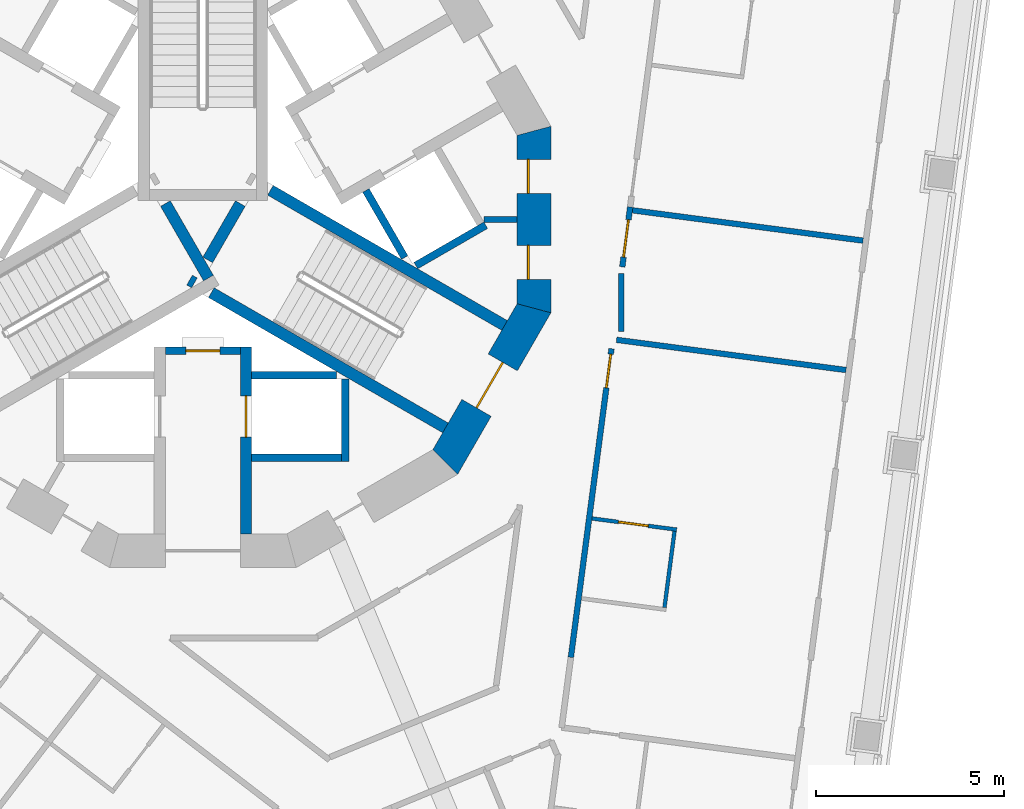
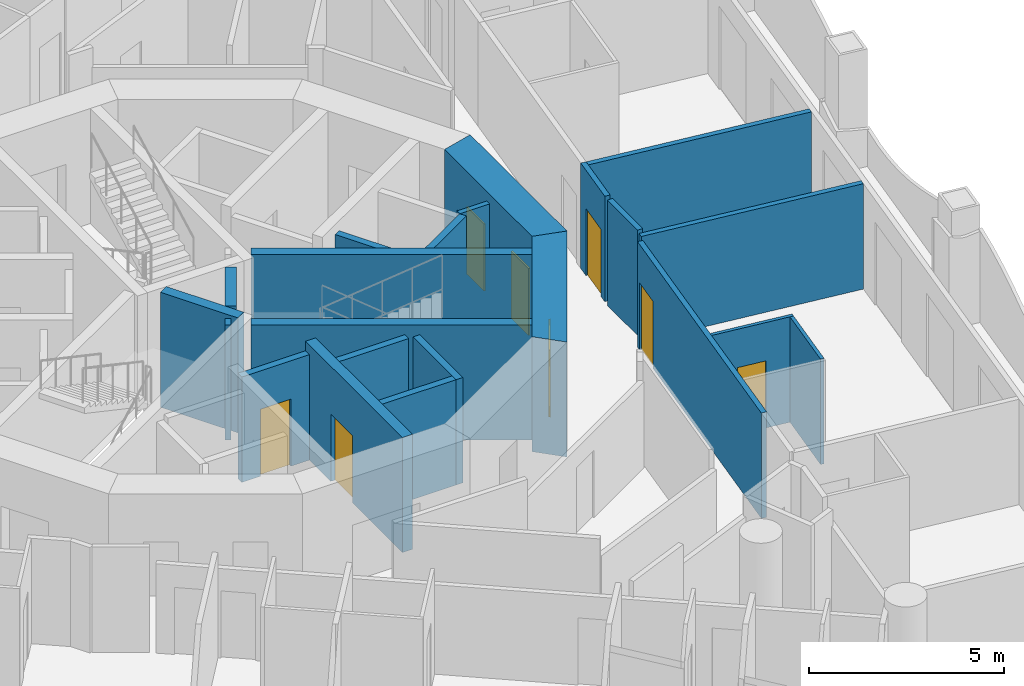
# One storey, part 5 of 17: 22 walls, 8 doors, 8 openings.
"""IFC4 building model written with IfcOpenShell, lengths in metres."""

from ifc_helpers import new_model, si_unit, direction, frame, frame_2d, origin, place, context, subcontext, project, spatial, polyline, rectangle, outline, extrude, material, layer, layer_set, type_object, element, fill, save


model = new_model("IFC4")

# Units and contexts
model_context = context("Model", 3, precision=1e-05, world=origin(), true_north=direction((0.0, 1.0)))
body_context = subcontext(model_context, "Body", "Model", "MODEL_VIEW")
ifc_project = project(units=[si_unit("LENGTHUNIT", "METRE"), si_unit("AREAUNIT", "SQUARE_METRE"), si_unit("VOLUMEUNIT", "CUBIC_METRE"), si_unit("PLANEANGLEUNIT", "RADIAN"), si_unit("MASSUNIT", "GRAM", prefix="KILO")], contexts=[model_context])

# Site, building, storey
site_placement = place(None, origin())
site = spatial("IfcSite", under=ifc_project, at=site_placement, CompositionType="ELEMENT")
building_placement = place(site_placement, origin())
building = spatial("IfcBuilding", under=site, at=building_placement, Name="Trine Commons Tower", CompositionType="ELEMENT")
storey_placement = place(building_placement, frame((0.0, 0.0, 138.60009765625)))
storey = spatial("IfcBuildingStorey", under=building, at=storey_placement, Name="L35", CompositionType="ELEMENT", Elevation=138.60009765625)

# Wall
ifc_material_1 = material(Name="Plasterboard partition on steel studs", Category="steel")
ifc_layer_1 = layer(ifc_material_1, 0.14990234375)
ifc_layer_set_1 = layer_set([ifc_layer_1], Name="Plasterboard partition on steel studs")
wall_type_1 = type_object("IfcWallType", Name="Core room partition 150 mm, EI 60", PredefinedType="PARTITIONING", material=ifc_layer_set_1)
wall_1_placement = place(storey_placement, frame((88.373046875, 62.5, 0.0), z_axis=(0.0, 0.0, 1.0), x_axis=(-1.0, 0.0, 0.0)))
element("IfcWall", 1, at=wall_1_placement, inside=storey, type_object=wall_type_1, Name="Core room partition L35", PredefinedType="PARTITIONING", context=body_context, shape_type="SweptSolid", body=[
    extrude(rectangle(XDim=0.882080078125, YDim=0.14990234375, at=frame_2d((0.44091796875, 0.0))), origin(), (0.0, 0.0, 1.0), 3.2998046875),
])

# Wall, opening, door
ifc_material_2 = material(Name="Fire-rated gypsum shaft wall system")
ifc_layer_2 = layer(ifc_material_2, 0.199951171875)
ifc_layer_set_2 = layer_set([ifc_layer_2], Name="Fire-rated gypsum shaft wall system")
wall_type_2 = type_object("IfcWallType", Name="Lobby end wall 200 mm, EI 120", PredefinedType="PARTITIONING", material=ifc_layer_set_2)
wall_2_placement = place(storey_placement, frame((79.0, 59.0, 0.0), z_axis=(0.0, 0.0, 1.0), x_axis=(1.0, 0.0, 0.0)))
wall_2 = element("IfcWall", 2, at=wall_2_placement, inside=storey, type_object=wall_type_2, Name="Lobby end wall L35", PredefinedType="PARTITIONING", context=body_context, shape_type="SweptSolid", body=[
    extrude(rectangle(XDim=2.0, YDim=0.199951171875, at=frame_2d((1.0, 0.0))), origin(), (0.0, 0.0, 1.0), 3.2998046875),
])
opening_1_placement = place(wall_2_placement, frame((0.550048828125, 0.0, 0.0)))
opening_1 = element("IfcOpeningElement", 3, at=opening_1_placement, cuts=wall_2, Name="Opening K10.09", PredefinedType="OPENING", context=body_context, shape_type="SweptSolid", body=[
    extrude(rectangle(XDim=0.89990234375, YDim=2.10009765625, at=frame_2d((0.449951171875, 1.050048828125))), frame((0.0, 0.10986328125, 0.0), z_axis=(0.0, -1.0, 0.0), x_axis=(1.0, 0.0, 0.0)), (0.0, 0.0, 1.0), 0.219970703125),
])
ifc_material_3 = material(Name="Steel door leaf, fire-rated", Category="steel")
door_type_1 = type_object("IfcDoorType", Name="Riser access door, single leaf 900 x 2100, FD60", OperationType="SINGLE_SWING_LEFT", PredefinedType="DOOR", material=ifc_material_3)
door_1_placement = place(opening_1_placement, frame((0.89990234375, 0.0, 0.0), z_axis=(0.0, 0.0, 1.0), x_axis=(-1.0, 0.0, 0.0)))
door_1 = element("IfcDoor", 4, at=door_1_placement, inside=storey, type_object=door_type_1, Name="Riser door, Communications riser L35", OperationType="SINGLE_SWING_RIGHT", OverallHeight=2.10009765625, OverallWidth=0.89990234375, PredefinedType="DOOR", context=body_context, shape_type="SweptSolid", body=[
    extrude(rectangle(XDim=0.89990234375, YDim=2.10009765625, at=frame_2d((0.449951171875, 1.050048828125))), frame((0.0, 0.02490234375, 0.0), z_axis=(0.0, -1.0, 0.0), x_axis=(1.0, 0.0, 0.0)), (0.0, 0.0, 1.0), 0.050048828125),
])
fill(opening_1, door_1)

ifc_material_4 = material(Name="Concrete C70/85", Category="concrete")
ifc_layer_3 = layer(ifc_material_4, 0.300048828125)
ifc_layer_set_3 = layer_set([ifc_layer_3], Name="Concrete C70/85")
wall_type_3 = type_object("IfcWallType", Name="RC shear wall 300 mm, C70/85", PredefinedType="SHEAR", material=ifc_layer_set_3)
wall_3_placement = place(storey_placement, frame((81.14990234375, 59.10009765625, 0.0), z_axis=(0.0, 0.0, 1.0), x_axis=(0.0, -1.0, 0.0)))
wall_3 = element("IfcWall", 5, at=wall_3_placement, inside=storey, type_object=wall_type_3, Name="Core cross wall SWB-04 L35", PredefinedType="SHEAR", context=body_context, shape_type="SweptSolid", body=[
    extrude(rectangle(XDim=4.97314453125, YDim=0.300048828125, at=frame_2d((2.486572265625, 0.0))), origin(), (0.0, 0.0, 1.0), 3.599853515625),
])
opening_2_placement = place(wall_3_placement, frame((1.300048828125, 0.0, 0.0)))
opening_2 = element("IfcOpeningElement", 6, at=opening_2_placement, cuts=wall_3, Name="Opening LD9", PredefinedType="OPENING", context=body_context, shape_type="SweptSolid", body=[
    extrude(rectangle(XDim=1.10009765625, YDim=2.10009765625, at=frame_2d((0.550048828125, 1.050048828125))), frame((0.0, 0.159912109375, 0.0), z_axis=(0.0, -1.0, 0.0), x_axis=(1.0, 0.0, 0.0)), (0.0, 0.0, 1.0), 0.320068359375),
])
ifc_material_5 = material(Name="Stainless steel sliding door leaves", Category="steel")
door_type_2 = type_object("IfcDoorType", Name="Lift landing door, centre-opening sliding 1100 x 2100, FD90", OperationType="DOUBLE_DOOR_SLIDING", PredefinedType="DOOR", material=ifc_material_5)
door_2_placement = place(opening_2_placement, origin())
door_2 = element("IfcDoor", 7, at=door_2_placement, inside=storey, type_object=door_type_2, Name="Lift landing door FF1 L35", OperationType="DOUBLE_DOOR_SLIDING", OverallHeight=2.10009765625, OverallWidth=1.10009765625, PredefinedType="DOOR", context=body_context, shape_type="SweptSolid", body=[
    extrude(rectangle(XDim=1.10009765625, YDim=2.10009765625, at=frame_2d((0.550048828125, 1.050048828125))), frame((0.0, 0.02490234375, 0.0), z_axis=(0.0, -1.0, 0.0), x_axis=(1.0, 0.0, 0.0)), (0.0, 0.0, 1.0), 0.050048828125),
])
fill(opening_2, door_2)

# Walls
wall_4_placement = place(storey_placement, frame((79.0029296875, 62.926025390625, 0.0), z_axis=(0.0, 0.0, 1.0), x_axis=(0.499965247104, -0.866045467449, 0.0)))
element("IfcWall", 8, at=wall_4_placement, inside=storey, type_object=wall_type_3, Name="Core cross wall SWB-10 L35", PredefinedType="SHEAR", context=body_context, shape_type="SweptSolid", body=[
    extrude(rectangle(XDim=2.292236328125, YDim=0.300048828125, at=frame_2d((1.14599609375, 0.0))), origin(), (0.0, 0.0, 1.0), 3.599853515625),
])
wall_5_placement = place(storey_placement, frame((79.64599609375, 60.885986328125, 0.0), z_axis=(0.0, 0.0, 1.0), x_axis=(0.867331893649, -0.497730234424, 0.0)))
element("IfcWall", 9, at=wall_5_placement, inside=storey, type_object=wall_type_3, Name="Core cross wall SWB-11 L35", PredefinedType="SHEAR", context=body_context, shape_type="SweptSolid", body=[
    extrude(rectangle(XDim=0.148681640625, YDim=0.300048828125, at=frame_2d((0.07421875, 0.0))), origin(), (0.0, 0.0, 1.0), 3.599853515625),
])
wall_6_placement = place(storey_placement, frame((80.1298828125, 61.424072265625, 0.0), z_axis=(0.0, 0.0, 1.0), x_axis=(0.500014901547, 0.866016800201, 0.0)))
element("IfcWall", 10, at=wall_6_placement, inside=storey, type_object=wall_type_3, Name="Core cross wall SWB-12 L35", PredefinedType="SHEAR", context=body_context, shape_type="SweptSolid", body=[
    extrude(rectangle(XDim=1.734375, YDim=0.300048828125, at=frame_2d((0.8671875, 0.0))), origin(), (0.0, 0.0, 1.0), 3.599853515625),
])
for number, where, z_axis, x_axis, name in (
    (11, (80.22509765625, 60.552001953125, 0.0), (0.0, 0.0, 1.0), (0.866028135082, -0.499995269223, 0.0), "Core cross wall SWB-13 L35"),
    (12, (81.800048828125, 63.280029296875, 0.0), (0.0, 0.0, 1.0), (0.866028135082, -0.499995269223, 0.0), "Core cross wall SWB-18 L35"),
):
    element("IfcWall", number, at=place(storey_placement, frame(where, z_axis=z_axis, x_axis=x_axis)), inside=storey, type_object=wall_type_3, Name=name, PredefinedType="SHEAR", context=body_context, shape_type="SweptSolid", body=[
        extrude(rectangle(XDim=7.2041015625, YDim=0.300048828125, at=frame_2d((3.60205078125, 0.0))), origin(), (0.0, 0.0, 1.0), 3.599853515625),
    ])

# Wall, openings, doors
ifc_layer_4 = layer(ifc_material_4, 0.89990234375)
ifc_layer_set_4 = layer_set([ifc_layer_4], Name="Concrete C70/85")
wall_type_4 = type_object("IfcWallType", Name="RC shear wall 900 mm, C70/85", PredefinedType="SHEAR", material=ifc_layer_set_4)
wall_7_placement = place(storey_placement, frame((88.822998046875, 60.015380859375, 0.0), z_axis=(0.0, 0.0, 1.0), x_axis=(0.0, 1.0, 0.0)))
wall_7 = element("IfcWall", 13, at=wall_7_placement, inside=storey, type_object=wall_type_4, Name="Core wall CWD-01 L35", PredefinedType="SHEAR", context=body_context, shape_type="SweptSolid", body=[
    extrude(outline(polyline([(0.0, -0.449951171875), (4.969482421875, -0.449951171875), (4.728271484375, 0.449951171875), (0.2412109375, 0.449951171875), (0.0, -0.449951171875)])), origin(), (0.0, 0.0, 1.0), 3.599853515625),
])
opening_3_placement = place(wall_7_placement, frame((0.893798828125, 0.0, 0.0)))
opening_3 = element("IfcOpeningElement", 14, at=opening_3_placement, cuts=wall_7, Name="Opening K10.10", PredefinedType="OPENING", context=body_context, shape_type="SweptSolid", body=[
    extrude(rectangle(XDim=0.89990234375, YDim=2.10009765625, at=frame_2d((0.449951171875, 1.050048828125))), frame((0.0, 0.4599609375, 0.0), z_axis=(0.0, -1.0, 0.0), x_axis=(1.0, 0.0, 0.0)), (0.0, 0.0, 1.0), 0.919921875),
])
opening_4_placement = place(wall_7_placement, frame((3.184814453125, 0.0, 0.0)))
opening_4 = element("IfcOpeningElement", 15, at=opening_4_placement, cuts=wall_7, Name="Opening K10.11", PredefinedType="OPENING", context=body_context, shape_type="SweptSolid", body=[
    extrude(rectangle(XDim=0.89990234375, YDim=2.10009765625, at=frame_2d((0.449951171875, 1.050048828125))), frame((0.0, 0.4599609375, 0.0), z_axis=(0.0, -1.0, 0.0), x_axis=(1.0, 0.0, 0.0)), (0.0, 0.0, 1.0), 0.919921875),
])
door_type_3 = type_object("IfcDoorType", Name="Core room door, single leaf 900 x 2100, FD30S", OperationType="SINGLE_SWING_LEFT", PredefinedType="DOOR", material=ifc_material_3)
door_3_placement = place(opening_3_placement, origin())
door_3 = element("IfcDoor", 16, at=door_3_placement, inside=storey, type_object=door_type_3, Name="Door to Cleaner's store L35", OperationType="SINGLE_SWING_LEFT", OverallHeight=2.10009765625, OverallWidth=0.89990234375, PredefinedType="DOOR", context=body_context, shape_type="SweptSolid", body=[
    extrude(rectangle(XDim=0.89990234375, YDim=2.10009765625, at=frame_2d((0.449951171875, 1.050048828125))), frame((0.0, 0.1748046875, 0.0), z_axis=(0.0, -1.0, 0.0), x_axis=(1.0, 0.0, 0.0)), (0.0, 0.0, 1.0), 0.050048828125),
])
fill(opening_3, door_3)
door_4_placement = place(opening_4_placement, origin())
door_4 = element("IfcDoor", 17, at=door_4_placement, inside=storey, type_object=door_type_3, Name="Door to Accessible WC L35", OperationType="SINGLE_SWING_RIGHT", OverallHeight=2.10009765625, OverallWidth=0.89990234375, PredefinedType="DOOR", context=body_context, shape_type="SweptSolid", body=[
    extrude(rectangle(XDim=0.89990234375, YDim=2.10009765625, at=frame_2d((0.449951171875, 1.050048828125))), frame((0.0, 0.1748046875, 0.0), z_axis=(0.0, -1.0, 0.0), x_axis=(1.0, 0.0, 0.0)), (0.0, 0.0, 1.0), 0.050048828125),
])
fill(opening_4, door_4)

# Wall, opening, door
wall_8_placement = place(storey_placement, frame((86.3984375, 55.936767578125, 0.0), z_axis=(0.0, 0.0, 1.0), x_axis=(0.500038571144, 0.866003133579, 0.0)))
wall_8 = element("IfcWall", 18, at=wall_8_placement, inside=storey, type_object=wall_type_4, Name="Core wall CWD-12 L35", PredefinedType="SHEAR", context=body_context, shape_type="SweptSolid", body=[
    extrude(outline(polyline([(0.0, -0.449951171875), (4.96923828125, -0.449951171875), (4.72802734375, 0.449951171875), (0.2412109375, 0.449951171875), (0.0, -0.449951171875)])), origin(), (0.0, 0.0, 1.0), 3.599853515625),
])
opening_5_placement = place(wall_8_placement, frame((1.78466796875, 0.0, 0.0)))
opening_5 = element("IfcOpeningElement", 19, at=opening_5_placement, cuts=wall_8, Name="Opening K10.03", PredefinedType="OPENING", context=body_context, shape_type="SweptSolid", body=[
    extrude(rectangle(XDim=1.39990234375, YDim=2.10009765625, at=frame_2d((0.699951171875, 1.050048828125))), frame((0.0, 0.4599609375, 0.0), z_axis=(0.0, -1.0, 0.0), x_axis=(1.0, 0.0, 0.0)), (0.0, 0.0, 1.0), 0.919921875),
])
ifc_material_6 = material(Name="Steel door leaves, fire-rated", Category="steel")
door_type_4 = type_object("IfcDoorType", Name="Stair door, double leaf 1400 x 2100, FD90", OperationType="DOUBLE_DOOR_SINGLE_SWING", PredefinedType="DOOR", material=ifc_material_6)
door_5_placement = place(opening_5_placement, origin())
door_5 = element("IfcDoor", 20, at=door_5_placement, inside=storey, type_object=door_type_4, Name="Stair door to Exit stair ST3B L35", OperationType="DOUBLE_DOOR_SINGLE_SWING", OverallHeight=2.10009765625, OverallWidth=1.39990234375, PredefinedType="DOOR", context=body_context, shape_type="SweptSolid", body=[
    extrude(rectangle(XDim=1.39990234375, YDim=2.10009765625, at=frame_2d((0.699951171875, 1.050048828125))), frame((0.0, 0.02490234375, 0.0), z_axis=(0.0, -1.0, 0.0), x_axis=(1.0, 0.0, 0.0)), (0.0, 0.0, 1.0), 0.050048828125),
])
fill(opening_5, door_5)

# Walls
ifc_layer_5 = layer(ifc_material_2, 0.199951171875)
ifc_layer_set_5 = layer_set([ifc_layer_5], Name="Fire-rated gypsum shaft wall system")
wall_type_5 = type_object("IfcWallType", Name="Shaft wall 200 mm, EI 120", PredefinedType="PARTITIONING", material=ifc_layer_set_5)
wall_9_placement = place(storey_placement, frame((81.300048828125, 56.14990234375, 0.0), z_axis=(0.0, 0.0, 1.0), x_axis=(1.0, 0.0, 0.0)))
element("IfcWall", 21, at=wall_9_placement, inside=storey, type_object=wall_type_5, Name="Shaft wall L35", PredefinedType="PARTITIONING", context=body_context, shape_type="SweptSolid", body=[
    extrude(rectangle(XDim=2.39990234375, YDim=0.199951171875, at=frame_2d((1.199951171875, 0.0))), origin(), (0.0, 0.0, 1.0), 3.2998046875),
])
wall_10_placement = place(storey_placement, frame((81.300048828125, 58.35009765625, 0.0), z_axis=(0.0, 0.0, 1.0), x_axis=(1.0, 0.0, 0.0)))
element("IfcWall", 22, at=wall_10_placement, inside=storey, type_object=wall_type_5, Name="Shaft wall L35", PredefinedType="PARTITIONING", context=body_context, shape_type="SweptSolid", body=[
    extrude(rectangle(XDim=2.264892578125, YDim=0.199951171875, at=frame_2d((1.13232421875, 0.0))), origin(), (0.0, 0.0, 1.0), 3.2998046875),
])
wall_11_placement = place(storey_placement, frame((83.800048828125, 58.257080078125, 0.0), z_axis=(0.0, 0.0, 1.0), x_axis=(0.0, -1.0, 0.0)))
element("IfcWall", 23, at=wall_11_placement, inside=storey, type_object=wall_type_5, Name="Shaft wall L35", PredefinedType="PARTITIONING", context=body_context, shape_type="SweptSolid", body=[
    extrude(rectangle(XDim=2.20703125, YDim=0.199951171875, at=frame_2d((1.103515625, 0.0))), origin(), (0.0, 0.0, 1.0), 3.2998046875),
])
wall_12_placement = place(storey_placement, frame((84.343994140625, 63.27587890625, 0.0), z_axis=(0.0, 0.0, 1.0), x_axis=(0.500271688072, -0.86586848777, 0.0)))
element("IfcWall", 24, at=wall_12_placement, inside=storey, type_object=wall_type_5, Name="Shaft wall L35", PredefinedType="PARTITIONING", context=body_context, shape_type="SweptSolid", body=[
    extrude(rectangle(XDim=2.064697265625, YDim=0.199951171875, at=frame_2d((1.0322265625, 0.0))), origin(), (0.0, 0.0, 1.0), 3.2998046875),
])
wall_13_placement = place(storey_placement, frame((85.675048828125, 61.27392578125, 0.0), z_axis=(0.0, 0.0, 1.0), x_axis=(0.866102336459, 0.499866725018, 0.0)))
element("IfcWall", 25, at=wall_13_placement, inside=storey, type_object=wall_type_5, Name="Shaft wall L35", PredefinedType="PARTITIONING", context=body_context, shape_type="SweptSolid", body=[
    extrude(rectangle(XDim=2.1484375, YDim=0.199951171875, at=frame_2d((1.07421875, 0.0))), origin(), (0.0, 0.0, 1.0), 3.2998046875),
])

# Wall, opening, door
ifc_material_7 = material(Name="Gypsum plasterboard on steel stud", Category="steel")
ifc_layer_6 = layer(ifc_material_7, 0.14990234375)
ifc_layer_set_6 = layer_set([ifc_layer_6], Name="Gypsum plasterboard on steel stud")
wall_type_6 = type_object("IfcWallType", Name="Unit and corridor wall 150 mm, EI 60", PredefinedType="PARTITIONING", material=ifc_layer_set_6)
wall_14_placement = place(storey_placement, frame((89.804931640625, 50.8349609375, 0.0), z_axis=(0.0, 0.0, 1.0), x_axis=(0.130544339744, 0.991442472038, 0.0)))
wall_14 = element("IfcWall", 26, at=wall_14_placement, inside=storey, type_object=wall_type_6, Name="Partition 117", PredefinedType="PARTITIONING", context=body_context, shape_type="SweptSolid", body=[
    extrude(rectangle(XDim=8.296142578125, YDim=0.14990234375, at=frame_2d((4.14794921875, 0.0))), origin(), (0.0, 0.0, 1.0), 3.2998046875),
])
opening_6_placement = place(wall_14_placement, frame((7.24609375, 0.0, 0.0)))
opening_6 = element("IfcOpeningElement", 27, at=opening_6_placement, cuts=wall_14, Name="Opening D-4B18", PredefinedType="OPENING", context=body_context, shape_type="SweptSolid", body=[
    extrude(rectangle(XDim=0.89990234375, YDim=2.10009765625, at=frame_2d((0.449951171875, 1.050048828125))), frame((0.0, 0.0849609375, 0.0), z_axis=(0.0, -1.0, 0.0), x_axis=(1.0, 0.0, 0.0)), (0.0, 0.0, 1.0), 0.169921875),
])
ifc_material_8 = material(Name="Timber fire door set", Category="wood")
door_type_5 = type_object("IfcDoorType", Name="Bedroom door 900 x 2100, FD30S", OperationType="NOTDEFINED", PredefinedType="DOOR", material=ifc_material_8)
door_6_placement = place(opening_6_placement, frame((0.89990234375, 0.0, 0.0), z_axis=(0.0, 0.0, 1.0), x_axis=(-1.0, 0.0, 0.0)))
door_6 = element("IfcDoor", 28, at=door_6_placement, inside=storey, type_object=door_type_5, Name="Door D-4B18", OperationType="SINGLE_SWING_LEFT", OverallHeight=2.10009765625, OverallWidth=0.89990234375, PredefinedType="DOOR", context=body_context, shape_type="SweptSolid", body=[
    extrude(rectangle(XDim=0.89990234375, YDim=2.10009765625, at=frame_2d((0.449951171875, 1.050048828125))), frame((0.0, 0.02490234375, 0.0), z_axis=(0.0, -1.0, 0.0), x_axis=(1.0, 0.0, 0.0)), (0.0, 0.0, 1.0), 0.050048828125),
])
fill(opening_6, door_6)

# Walls
wall_15_placement = place(storey_placement, frame((91.02197265625, 59.294921875, 0.0), z_axis=(0.0, 0.0, 1.0), x_axis=(0.991450522243, -0.130483186444, 0.0)))
element("IfcWall", 29, at=wall_15_placement, inside=storey, type_object=wall_type_6, Name="Partition 123", PredefinedType="PARTITIONING", context=body_context, shape_type="SweptSolid", body=[
    extrude(rectangle(XDim=6.1669921875, YDim=0.14990234375, at=frame_2d((3.08349609375, 0.0))), origin(), (0.0, 0.0, 1.0), 3.2998046875),
])
wall_16_placement = place(storey_placement, frame((91.14794921875, 59.512939453125, 0.0), z_axis=(0.0, 0.0, 1.0), x_axis=(0.0, 1.0, 0.0)))
element("IfcWall", 30, at=wall_16_placement, inside=storey, type_object=wall_type_6, Name="Partition 125", PredefinedType="PARTITIONING", context=body_context, shape_type="SweptSolid", body=[
    extrude(rectangle(XDim=1.550048828125, YDim=0.14990234375, at=frame_2d((0.77490234375, 0.0))), origin(), (0.0, 0.0, 1.0), 3.2998046875),
])

# Wall, opening, door
wall_17_placement = place(storey_placement, frame((91.175048828125, 61.237060546875, 0.0), z_axis=(0.0, 0.0, 1.0), x_axis=(0.130168355053, 0.991491905838, 0.0)))
wall_17 = element("IfcWall", 31, at=wall_17_placement, inside=storey, type_object=wall_type_6, Name="Partition 126", PredefinedType="PARTITIONING", context=body_context, shape_type="SweptSolid", body=[
    extrude(rectangle(XDim=1.611083984375, YDim=0.14990234375, at=frame_2d((0.8056640625, 0.0))), origin(), (0.0, 0.0, 1.0), 3.2998046875),
])
opening_7_placement = place(wall_17_placement, frame((0.26611328125, 0.0, 0.0)))
opening_7 = element("IfcOpeningElement", 32, at=opening_7_placement, cuts=wall_17, Name="Opening D-4B17", PredefinedType="OPENING", context=body_context, shape_type="SweptSolid", body=[
    extrude(rectangle(XDim=1.0, YDim=2.10009765625, at=frame_2d((0.5, 1.050048828125))), frame((0.0, 0.0849609375, 0.0), z_axis=(0.0, -1.0, 0.0), x_axis=(1.0, 0.0, 0.0)), (0.0, 0.0, 1.0), 0.169921875),
])
ifc_material_9 = material(Name="Painted timber", Category="wood")
door_type_6 = type_object("IfcDoorType", Name="Amenity room door 1000 x 2100, NOT RATED", OperationType="NOTDEFINED", PredefinedType="DOOR", material=ifc_material_9)
door_7_placement = place(opening_7_placement, frame((1.0, 0.0, 0.0), z_axis=(0.0, 0.0, 1.0), x_axis=(-1.0, 0.0, 0.0)))
door_7 = element("IfcDoor", 33, at=door_7_placement, inside=storey, type_object=door_type_6, Name="Door D-4B17", OperationType="SINGLE_SWING_RIGHT", OverallHeight=2.10009765625, OverallWidth=1.0, PredefinedType="DOOR", context=body_context, shape_type="SweptSolid", body=[
    extrude(rectangle(XDim=1.0, YDim=2.10009765625, at=frame_2d((0.5, 1.050048828125))), frame((0.0, 0.02490234375, 0.0), z_axis=(0.0, -1.0, 0.0), x_axis=(1.0, 0.0, 0.0)), (0.0, 0.0, 1.0), 0.050048828125),
])
fill(opening_7, door_7)

# Wall
wall_18_placement = place(storey_placement, frame((91.449462890625, 62.74609375, 0.0), z_axis=(0.0, 0.0, 1.0), x_axis=(0.991457381012, -0.130431060858, 0.0)))
element("IfcWall", 34, at=wall_18_placement, inside=storey, type_object=wall_type_6, Name="Partition 128", PredefinedType="PARTITIONING", context=body_context, shape_type="SweptSolid", body=[
    extrude(rectangle(XDim=6.19384765625, YDim=0.14990234375, at=frame_2d((3.096923828125, 0.0))), origin(), (0.0, 0.0, 1.0), 3.2998046875),
])

# Wall, opening, door
ifc_layer_7 = layer(ifc_material_7, 0.10009765625)
ifc_layer_set_7 = layer_set([ifc_layer_7], Name="Gypsum plasterboard on steel stud")
wall_type_7 = type_object("IfcWallType", Name="Unit partition 100 mm, no rating", PredefinedType="PARTITIONING", material=ifc_layer_set_7)
wall_19_placement = place(storey_placement, frame((90.368408203125, 54.53515625, 0.0), z_axis=(0.0, 0.0, 1.0), x_axis=(0.991459774706, -0.130412864162, 0.0)))
wall_19 = element("IfcWall", 35, at=wall_19_placement, inside=storey, type_object=wall_type_7, Name="Partition 121", PredefinedType="PARTITIONING", context=body_context, shape_type="SweptSolid", body=[
    extrude(rectangle(XDim=2.274658203125, YDim=0.10009765625, at=frame_2d((1.13720703125, 0.0))), origin(), (0.0, 0.0, 1.0), 3.2998046875),
])
opening_8_placement = place(wall_19_placement, frame((0.71240234375, 0.0, 0.0)))
opening_8 = element("IfcOpeningElement", 36, at=opening_8_placement, cuts=wall_19, Name="Opening D-4B48", PredefinedType="OPENING", context=body_context, shape_type="SweptSolid", body=[
    extrude(rectangle(XDim=0.800048828125, YDim=2.10009765625, at=frame_2d((0.39990234375, 1.050048828125))), frame((0.0, 0.06005859375, 0.0), z_axis=(0.0, -1.0, 0.0), x_axis=(1.0, 0.0, 0.0)), (0.0, 0.0, 1.0), 0.1201171875),
])
door_type_7 = type_object("IfcDoorType", Name="Internal door 800 x 2100, NOT RATED", OperationType="NOTDEFINED", PredefinedType="DOOR", material=ifc_material_9)
door_8_placement = place(opening_8_placement, origin())
door_8 = element("IfcDoor", 37, at=door_8_placement, inside=storey, type_object=door_type_7, Name="Door D-4B48", OperationType="SINGLE_SWING_LEFT", OverallHeight=2.10009765625, OverallWidth=0.800048828125, PredefinedType="DOOR", context=body_context, shape_type="SweptSolid", body=[
    extrude(rectangle(XDim=0.800048828125, YDim=2.10009765625, at=frame_2d((0.39990234375, 1.050048828125))), frame((0.0, 0.02490234375, 0.0), z_axis=(0.0, -1.0, 0.0), x_axis=(1.0, 0.0, 0.0)), (0.0, 0.0, 1.0), 0.050048828125),
])
fill(opening_8, door_8)

# Wall
wall_20_placement = place(storey_placement, frame((92.299560546875, 52.16259765625, 0.0), z_axis=(0.0, 0.0, 1.0), x_axis=(0.130627005462, 0.991431583844, 0.0)))
element("IfcWall", 38, at=wall_20_placement, inside=storey, type_object=wall_type_7, Name="Partition 134", PredefinedType="PARTITIONING", context=body_context, shape_type="SweptSolid", body=[
    extrude(rectangle(XDim=2.05029296875, YDim=0.10009765625, at=frame_2d((1.025146484375, 0.0))), origin(), (0.0, 0.0, 1.0), 3.2998046875),
])

save(model, "model.ifc")
